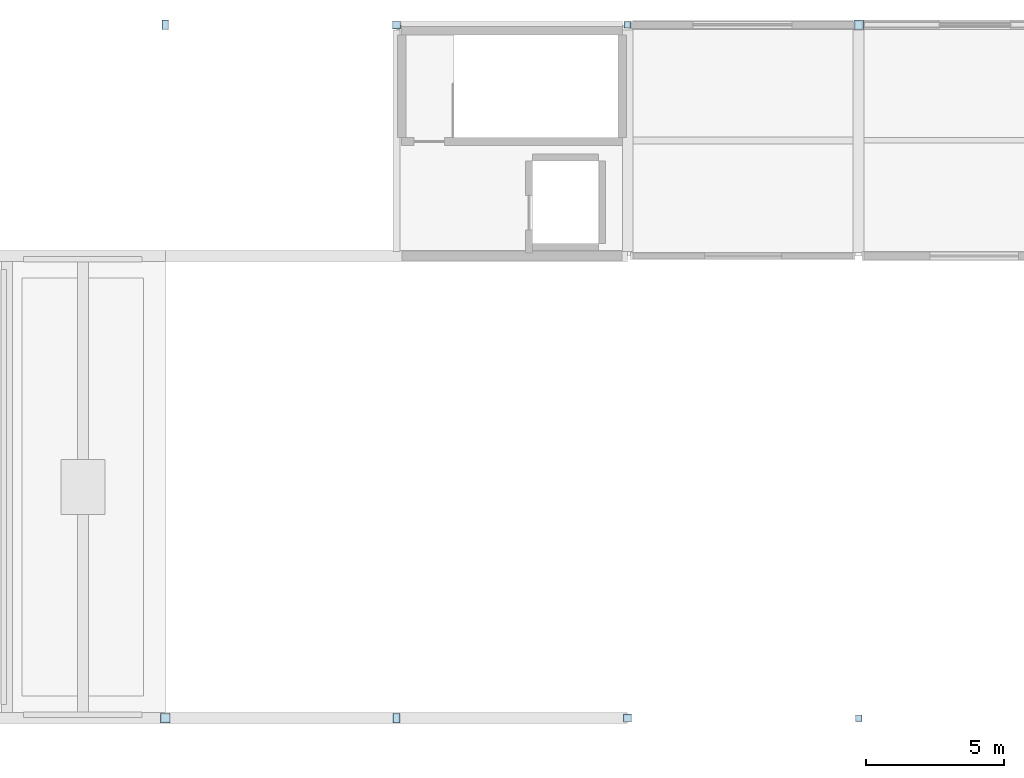
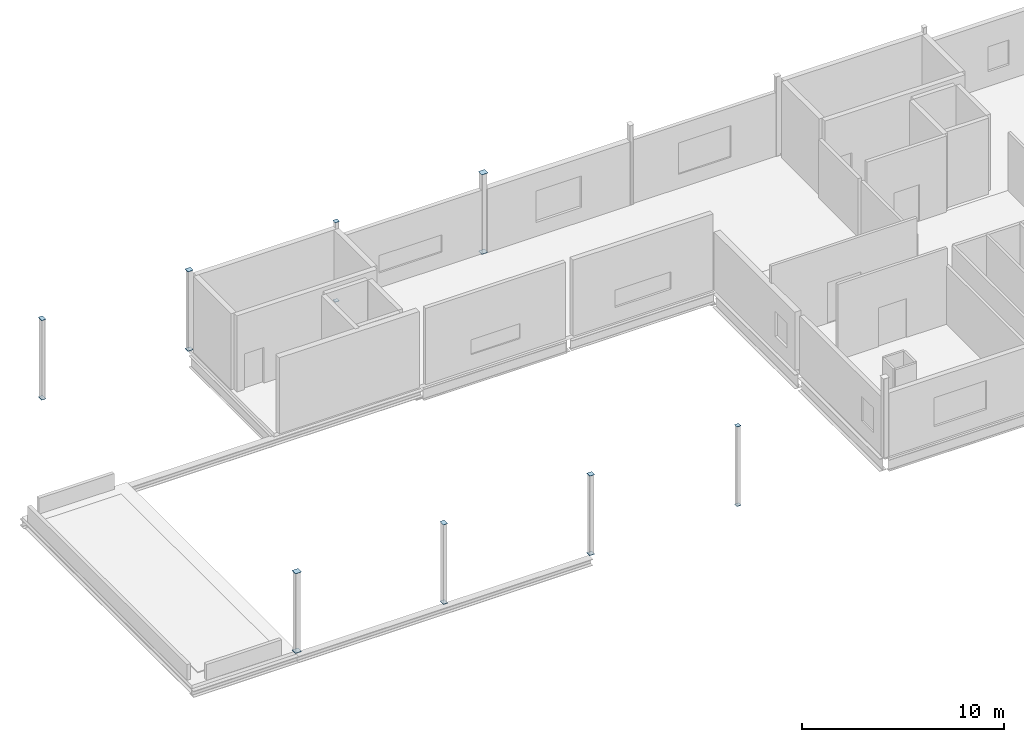
# One storey, part 9 of 27: 16 plates.
"""IFC4 building model written with IfcOpenShell, lengths in metres."""

from ifc_helpers import new_model, si_unit, direction, frame, origin, origin_2d, place, context, subcontext, project, spatial, rectangle, extrude, material, layer, layer_set, type_object, element, save


model = new_model("IFC4")

# Units and contexts
model_context = context("Model", 3, precision=1e-05, world=origin(), true_north=direction((0.0, 1.0)))
body_context = subcontext(model_context, "Body", "Model", "MODEL_VIEW")
ifc_project = project(units=[si_unit("LENGTHUNIT", "METRE"), si_unit("AREAUNIT", "SQUARE_METRE"), si_unit("VOLUMEUNIT", "CUBIC_METRE"), si_unit("PLANEANGLEUNIT", "RADIAN"), si_unit("MASSUNIT", "GRAM", prefix="KILO")], contexts=[model_context])

# Site, building, storey
site_placement = place(None, origin())
site = spatial("IfcSite", under=ifc_project, at=site_placement, CompositionType="ELEMENT")
building_placement = place(site_placement, origin())
building = spatial("IfcBuilding", under=site, at=building_placement, Name="Calvrana Isthmian Art Gallery", CompositionType="ELEMENT")
storey_placement = place(building_placement, frame((0.0, 0.0, 24.60009765625)))
storey = spatial("IfcBuildingStorey", under=building, at=storey_placement, Name="L05", CompositionType="ELEMENT", Elevation=24.60009765625)

# Plates
ifc_material = material(Name="Steel ASTM A572 Gr 50", Category="steel")
ifc_layer = layer(ifc_material, 0.01611328125, Name="Steel ASTM A572 Gr 50")
ifc_layer_set = layer_set([ifc_layer], Name="Steel ASTM A572 Gr 50")
plate_type = type_object("IfcPlateType", Name="PL-CAP-16", PredefinedType="SHEET", material=ifc_layer_set)
for number, where, z_axis, x_axis, name in (
    (1, (21.60009765625, 21.60009765625, -0.008056640625), (0.0, 0.0, 1.0), (1.0, 0.0, 0.0), "Hollow section end cap plate 025"),
    (2, (21.60009765625, 21.60009765625, 4.791748046875), (0.0, 0.0, 1.0), (1.0, 0.0, 0.0), "Hollow section end cap plate 026"),
):
    element("IfcPlate", number, at=place(storey_placement, frame(where, z_axis=z_axis, x_axis=x_axis)), inside=storey, type_object=plate_type, Name=name, PredefinedType="SHEET", context=body_context, shape_type="SweptSolid", body=[
        extrude(rectangle(XDim=0.3447265625, YDim=0.3447265625, at=origin_2d()), origin(), (0.0, 0.0, 1.0), 0.01611328125),
    ])
for number, where, z_axis, x_axis, name in (
    (3, (21.60009765625, 46.800048828125, -0.008056640625), (0.0, 0.0, 1.0), (1.0, 0.0, 0.0), "Hollow section end cap plate 031"),
    (4, (21.60009765625, 46.800048828125, 4.791748046875), (0.0, 0.0, 1.0), (1.0, 0.0, 0.0), "Hollow section end cap plate 032"),
    (5, (30.0, 21.60009765625, -0.008056640625), (0.0, 0.0, 1.0), (1.0, 0.0, 0.0), "Hollow section end cap plate 045"),
    (6, (30.0, 21.60009765625, 4.791748046875), (0.0, 0.0, 1.0), (1.0, 0.0, 0.0), "Hollow section end cap plate 046"),
):
    element("IfcPlate", number, at=place(storey_placement, frame(where, z_axis=z_axis, x_axis=x_axis)), inside=storey, type_object=plate_type, Name=name, PredefinedType="SHEET", context=body_context, shape_type="SweptSolid", body=[
        extrude(rectangle(XDim=0.2431640625, YDim=0.3447265625, at=origin_2d()), origin(), (0.0, 0.0, 1.0), 0.01611328125),
    ])
for number, where, z_axis, x_axis, name in (
    (7, (30.0, 46.800048828125, -0.008056640625), (0.0, 0.0, 1.0), (1.0, 0.0, 0.0), "Hollow section end cap plate 051"),
    (8, (30.0, 46.800048828125, 4.791748046875), (0.0, 0.0, 1.0), (1.0, 0.0, 0.0), "Hollow section end cap plate 052"),
    (9, (38.39990234375, 21.60009765625, -0.008056640625), (0.0, 0.0, 1.0), (1.0, 0.0, 0.0), "Hollow section end cap plate 065"),
    (10, (38.39990234375, 21.60009765625, 4.791748046875), (0.0, 0.0, 1.0), (1.0, 0.0, 0.0), "Hollow section end cap plate 066"),
):
    element("IfcPlate", number, at=place(storey_placement, frame(where, z_axis=z_axis, x_axis=x_axis)), inside=storey, type_object=plate_type, Name=name, PredefinedType="SHEET", context=body_context, shape_type="SweptSolid", body=[
        extrude(rectangle(XDim=0.2939453125, YDim=0.2939453125, at=origin_2d()), origin(), (0.0, 0.0, 1.0), 0.01611328125),
    ])
for number, where, z_axis, x_axis, name in (
    (11, (38.39990234375, 46.800048828125, -0.008056640625), (0.0, 0.0, 1.0), (1.0, 0.0, 0.0), "Hollow section end cap plate 071"),
    (12, (38.39990234375, 46.800048828125, 4.791748046875), (0.0, 0.0, 1.0), (1.0, 0.0, 0.0), "Hollow section end cap plate 072"),
    (13, (46.800048828125, 21.60009765625, -0.008056640625), (0.0, 0.0, 1.0), (1.0, 0.0, 0.0), "Hollow section end cap plate 085"),
    (14, (46.800048828125, 21.60009765625, 4.791748046875), (0.0, 0.0, 1.0), (1.0, 0.0, 0.0), "Hollow section end cap plate 086"),
):
    element("IfcPlate", number, at=place(storey_placement, frame(where, z_axis=z_axis, x_axis=x_axis)), inside=storey, type_object=plate_type, Name=name, PredefinedType="SHEET", context=body_context, shape_type="SweptSolid", body=[
        extrude(rectangle(XDim=0.2431640625, YDim=0.2431640625, at=origin_2d()), origin(), (0.0, 0.0, 1.0), 0.01611328125),
    ])
for number, where, z_axis, x_axis, name in (
    (15, (46.800048828125, 46.800048828125, -0.008056640625), (0.0, 0.0, 1.0), (1.0, 0.0, 0.0), "Hollow section end cap plate 091"),
    (16, (46.800048828125, 46.800048828125, 4.791748046875), (0.0, 0.0, 1.0), (1.0, 0.0, 0.0), "Hollow section end cap plate 092"),
):
    element("IfcPlate", number, at=place(storey_placement, frame(where, z_axis=z_axis, x_axis=x_axis)), inside=storey, type_object=plate_type, Name=name, PredefinedType="SHEET", context=body_context, shape_type="SweptSolid", body=[
        extrude(rectangle(XDim=0.3447265625, YDim=0.3447265625, at=origin_2d()), origin(), (0.0, 0.0, 1.0), 0.01611328125),
    ])

save(model, "model.ifc")
